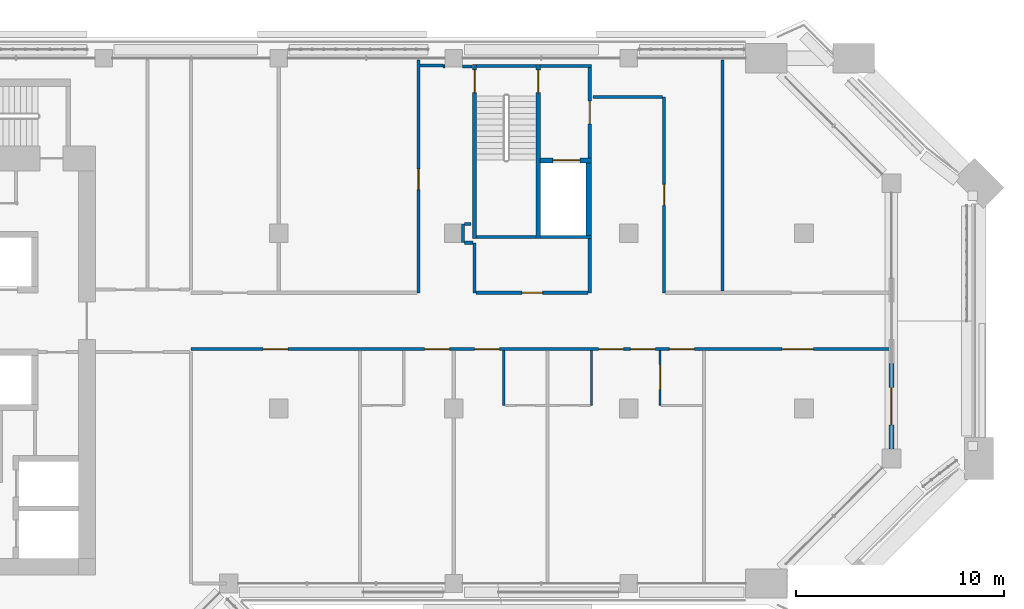
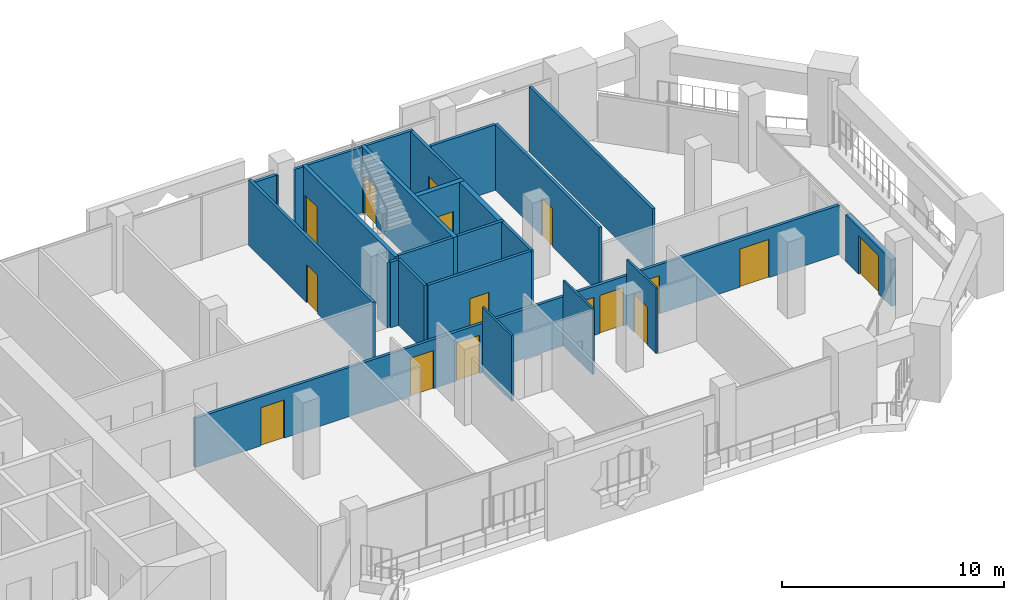
# One storey, part 13 of 21: 27 walls, 16 doors, 16 openings.
"""IFC4 building model written with IfcOpenShell, lengths in metres."""

from ifc_helpers import new_model, si_unit, direction, frame, frame_2d, origin, place, context, subcontext, project, spatial, rectangle, extrude, material, layer, layer_set, type_object, element, fill, save


model = new_model("IFC4")

# Units and contexts
model_context = context("Model", 3, precision=1e-05, world=origin(), true_north=direction((0.0, 1.0)))
body_context = subcontext(model_context, "Body", "Model", "MODEL_VIEW")
ifc_project = project(units=[si_unit("LENGTHUNIT", "METRE"), si_unit("AREAUNIT", "SQUARE_METRE"), si_unit("VOLUMEUNIT", "CUBIC_METRE"), si_unit("PLANEANGLEUNIT", "RADIAN"), si_unit("MASSUNIT", "GRAM", prefix="KILO")], contexts=[model_context])

# Site, building, storey
site_placement = place(None, origin())
site = spatial("IfcSite", under=ifc_project, at=site_placement, CompositionType="ELEMENT")
building_placement = place(site_placement, origin())
building = spatial("IfcBuilding", under=site, at=building_placement, Name="Kawkab Arch Medical Tower", CompositionType="ELEMENT")
storey_placement = place(building_placement, frame((0.0, 0.0, 234.800048828125)))
storey = spatial("IfcBuildingStorey", under=building, at=storey_placement, Name="L54", CompositionType="ELEMENT", Elevation=234.800048828125)

# Wall, opening, door
ifc_material_1 = material(Name="Gypsum board on steel studs", Category="steel")
ifc_layer_1 = layer(ifc_material_1, 0.14990234375)
ifc_layer_set_1 = layer_set([ifc_layer_1], Name="Gypsum board on steel studs")
wall_type_1 = type_object("IfcWallType", Name="Core room partition 150", PredefinedType="PARTITIONING", material=ifc_layer_set_1)
wall_1_placement = place(storey_placement, frame((48.52490234375, -4.77490234375, 0.0), z_axis=(0.0, 0.0, 1.0), x_axis=(0.0, 1.0, 0.0)))
wall_1 = element("IfcWall", 1, at=wall_1_placement, inside=storey, type_object=wall_type_1, Name="L54 core room partition", PredefinedType="PARTITIONING", context=body_context, shape_type="SweptSolid", body=[
    extrude(rectangle(XDim=4.324951171875, YDim=0.14990234375, at=frame_2d((2.16259765625, 0.0))), origin(), (0.0, 0.0, 1.0), 3.599853515625),
])
opening_1_placement = place(wall_1_placement, frame((1.625, 0.0, 0.0)))
opening_1 = element("IfcOpeningElement", 2, at=opening_1_placement, cuts=wall_1, Name="Opening FD", PredefinedType="OPENING", context=body_context, shape_type="SweptSolid", body=[
    extrude(rectangle(XDim=1.10009765625, YDim=2.10009765625, at=frame_2d((0.550048828125, 1.050048828125))), frame((0.0, 0.0849609375, 0.0), z_axis=(0.0, -1.0, 0.0), x_axis=(1.0, 0.0, 0.0)), (0.0, 0.0, 1.0), 0.169921875),
])
ifc_material_2 = material(Name="Hollow metal fire door leaf")
door_type_1 = type_object("IfcDoorType", Name="Firefighting lobby door 1100", OperationType="SINGLE_SWING_LEFT", PredefinedType="DOOR", material=ifc_material_2)
door_1_placement = place(opening_1_placement, origin())
door_1 = element("IfcDoor", 3, at=door_1_placement, inside=storey, type_object=door_type_1, Name="L54 Service lift lobby door SV1", OperationType="SINGLE_SWING_LEFT", OverallHeight=2.10009765625, OverallWidth=1.10009765625, PredefinedType="DOOR", context=body_context, shape_type="SweptSolid", body=[
    extrude(rectangle(XDim=1.10009765625, YDim=2.10009765625, at=frame_2d((0.550048828125, 1.050048828125))), frame((0.0, 0.02490234375, 0.0), z_axis=(0.0, -1.0, 0.0), x_axis=(1.0, 0.0, 0.0)), (0.0, 0.0, 1.0), 0.050048828125),
])
fill(opening_1, door_1)

ifc_material_3 = material(Name="Concrete C60/75", Category="concrete")
ifc_layer_2 = layer(ifc_material_3, 0.25)
ifc_layer_set_2 = layer_set([ifc_layer_2], Name="Concrete C60/75")
wall_type_2 = type_object("IfcWallType", Name="Core shear wall 250 C60/75", PredefinedType="SHEAR", material=ifc_layer_set_2)
wall_2_placement = place(storey_placement, frame((46.14990234375, -4.89990234375, 0.0), z_axis=(0.0, 0.0, 1.0), x_axis=(1.0, 0.0, 0.0)))
wall_2 = element("IfcWall", 4, at=wall_2_placement, inside=storey, type_object=wall_type_2, Name="L54 core shear wall", PredefinedType="SHEAR", context=body_context, shape_type="SweptSolid", body=[
    extrude(rectangle(XDim=2.4501953125, YDim=0.25, at=frame_2d((1.22509765625, 0.0))), origin(), (0.0, 0.0, 1.0), 3.599853515625),
])
opening_2_placement = place(wall_2_placement, frame((0.60009765625, 0.0, 0.0)))
opening_2 = element("IfcOpeningElement", 5, at=opening_2_placement, cuts=wall_2, Name="Opening LD2", PredefinedType="OPENING", context=body_context, shape_type="SweptSolid", body=[
    extrude(rectangle(XDim=1.300048828125, YDim=2.10009765625, at=frame_2d((0.64990234375, 1.050048828125))), frame((0.0, 0.135009765625, 0.0), z_axis=(0.0, -1.0, 0.0), x_axis=(1.0, 0.0, 0.0)), (0.0, 0.0, 1.0), 0.27001953125),
])
ifc_material_4 = material(Name="Stainless steel lift door leaf", Category="steel")
door_type_2 = type_object("IfcDoorType", Name="Lift landing door 1300", OperationType="DOUBLE_DOOR_SLIDING", PredefinedType="DOOR", material=ifc_material_4)
door_2_placement = place(opening_2_placement, origin())
door_2 = element("IfcDoor", 6, at=door_2_placement, inside=storey, type_object=door_type_2, Name="L54 Lift landing door SV1", OperationType="DOUBLE_DOOR_SLIDING", OverallHeight=2.10009765625, OverallWidth=1.300048828125, PredefinedType="DOOR", context=body_context, shape_type="SweptSolid", body=[
    extrude(rectangle(XDim=1.300048828125, YDim=2.10009765625, at=frame_2d((0.64990234375, 1.050048828125))), frame((0.0, 0.02490234375, 0.0), z_axis=(0.0, -1.0, 0.0), x_axis=(1.0, 0.0, 0.0)), (0.0, 0.0, 1.0), 0.050048828125),
])
fill(opening_2, door_2)

# Wall
wall_3_placement = place(storey_placement, frame((48.47509765625, -8.5, 0.0), z_axis=(0.0, 0.0, 1.0), x_axis=(0.0, 1.0, 0.0)))
element("IfcWall", 7, at=wall_3_placement, inside=storey, type_object=wall_type_2, Name="L54 core shear wall", PredefinedType="SHEAR", context=body_context, shape_type="SweptSolid", body=[
    extrude(rectangle(XDim=3.47509765625, YDim=0.25, at=frame_2d((1.737548828125, 0.0))), origin(), (0.0, 0.0, 1.0), 3.599853515625),
])

# Wall, opening, door
ifc_material_5 = material(Name="Bronze clad insulated wall panel")
ifc_layer_3 = layer(ifc_material_5, 0.25)
ifc_layer_set_3 = layer_set([ifc_layer_3], Name="Bronze clad insulated wall panel")
wall_type_3 = type_object("IfcWallType", Name="External wall bay 250", PredefinedType="SOLIDWALL", material=ifc_layer_set_3)
wall_4_placement = place(storey_placement, frame((63.0, -18.75, 0.0), z_axis=(0.0, 0.0, 1.0), x_axis=(0.0, 1.0, 0.0)))
wall_4 = element("IfcWall", 8, at=wall_4_placement, inside=storey, type_object=wall_type_3, Name="External wall bay L54.R09.1.1", PredefinedType="SOLIDWALL", context=body_context, shape_type="SweptSolid", body=[
    extrude(rectangle(XDim=4.10009765625, YDim=0.25, at=frame_2d((2.050048828125, 0.0))), origin(), (0.0, 0.0, 1.0), 2.579833984375),
])
opening_3_placement = place(wall_4_placement, frame((1.14990234375, 0.0, 0.0)))
opening_3 = element("IfcOpeningElement", 9, at=opening_3_placement, cuts=wall_4, Name="Opening W54-702", PredefinedType="OPENING", context=body_context, shape_type="SweptSolid", body=[
    extrude(rectangle(XDim=1.800048828125, YDim=2.10009765625, at=frame_2d((0.89990234375, 1.050048828125))), frame((0.0, 0.135009765625, 0.0), z_axis=(0.0, -1.0, 0.0), x_axis=(1.0, 0.0, 0.0)), (0.0, 0.0, 1.0), 0.27001953125),
])
ifc_material_6 = material(Name="Bronze anodised aluminium door with tinted glass", Category="aluminium")
door_type_3 = type_object("IfcDoorType", Name="Double external door 1800 x 2100", OperationType="DOUBLE_DOOR_SINGLE_SWING", PredefinedType="DOOR", material=ifc_material_6)
door_3_placement = place(opening_3_placement, origin())
door_3 = element("IfcDoor", 10, at=door_3_placement, inside=storey, type_object=door_type_3, Name="External door L54.R09.1.1", OperationType="DOUBLE_DOOR_SINGLE_SWING", OverallHeight=2.10009765625, OverallWidth=1.800048828125, PredefinedType="DOOR", context=body_context, shape_type="SweptSolid", body=[
    extrude(rectangle(XDim=1.800048828125, YDim=2.10009765625, at=frame_2d((0.89990234375, 1.050048828125))), frame((0.0, 0.02490234375, 0.0), z_axis=(0.0, -1.0, 0.0), x_axis=(1.0, 0.0, 0.0)), (0.0, 0.0, 1.0), 0.050048828125),
])
fill(opening_3, door_3)

# Walls
ifc_material_7 = material(Name="Gypsum board partition on steel studs", Category="steel")
ifc_layer_4 = layer(ifc_material_7, 0.10009765625)
ifc_layer_set_4 = layer_set([ifc_layer_4], Name="Gypsum board partition on steel studs")
wall_type_4 = type_object("IfcWallType", Name="Partition 100", PredefinedType="PARTITIONING", material=ifc_layer_set_4)
for number, where, z_axis, x_axis, name in (
    (11, (44.39990234375, -16.64990234375, 0.0), (0.0, 0.0, 1.0), (0.0, 1.0, 0.0), "Partition 100 w005"),
    (12, (48.60009765625, -16.64990234375, 0.0), (0.0, 0.0, 1.0), (0.0, 1.0, 0.0), "Partition 100 w006"),
):
    element("IfcWall", number, at=place(storey_placement, frame(where, z_axis=z_axis, x_axis=x_axis)), inside=storey, type_object=wall_type_4, Name=name, PredefinedType="PARTITIONING", context=body_context, shape_type="SweptSolid", body=[
        extrude(rectangle(XDim=2.625, YDim=0.10009765625, at=frame_2d((1.3125, 0.0))), origin(), (0.0, 0.0, 1.0), 3.599853515625),
    ])

# Wall, opening, door
wall_5_placement = place(storey_placement, frame((51.89990234375, -16.64990234375, 0.0), z_axis=(0.0, 0.0, 1.0), x_axis=(0.0, 1.0, 0.0)))
wall_5 = element("IfcWall", 13, at=wall_5_placement, inside=storey, type_object=wall_type_4, Name="Partition 100 w007", PredefinedType="PARTITIONING", context=body_context, shape_type="SweptSolid", body=[
    extrude(rectangle(XDim=2.625, YDim=0.10009765625, at=frame_2d((1.3125, 0.0))), origin(), (0.0, 0.0, 1.0), 3.599853515625),
])
opening_4_placement = place(wall_5_placement, frame((0.75, 0.0, 0.0)))
opening_4 = element("IfcOpeningElement", 14, at=opening_4_placement, cuts=wall_5, Name="Opening W54-026", PredefinedType="OPENING", context=body_context, shape_type="SweptSolid", body=[
    extrude(rectangle(XDim=1.199951171875, YDim=2.10009765625, at=frame_2d((0.60009765625, 1.050048828125))), frame((0.0, 0.06005859375, 0.0), z_axis=(0.0, -1.0, 0.0), x_axis=(1.0, 0.0, 0.0)), (0.0, 0.0, 1.0), 0.1201171875),
])
ifc_material_8 = material(Name="Timber door leaf", Category="wood")
door_type_4 = type_object("IfcDoorType", Name="Single door 1200x2100", OperationType="NOTDEFINED", PredefinedType="DOOR", material=ifc_material_8)
door_4_placement = place(opening_4_placement, origin())
door_4 = element("IfcDoor", 15, at=door_4_placement, inside=storey, type_object=door_type_4, Name="Door W54-026", OperationType="SINGLE_SWING_LEFT", OverallHeight=2.10009765625, OverallWidth=1.199951171875, PredefinedType="DOOR", context=body_context, shape_type="SweptSolid", body=[
    extrude(rectangle(XDim=1.199951171875, YDim=2.10009765625, at=frame_2d((0.60009765625, 1.050048828125))), frame((0.0, 0.02490234375, 0.0), z_axis=(0.0, -1.0, 0.0), x_axis=(1.0, 0.0, 0.0)), (0.0, 0.0, 1.0), 0.050048828125),
])
fill(opening_4, door_4)

# Wall, openings, doors
ifc_material_9 = material(Name="Gypsum board partition on steel studs, mineral wool", Category="steel")
ifc_layer_5 = layer(ifc_material_9, 0.14990234375)
ifc_layer_set_5 = layer_set([ifc_layer_5], Name="Gypsum board partition on steel studs, mineral wool")
wall_type_5 = type_object("IfcWallType", Name="Partition 150", PredefinedType="PARTITIONING", material=ifc_layer_set_5)
wall_6_placement = place(storey_placement, frame((29.39990234375, -13.949951171875, 0.0), z_axis=(0.0, 0.0, 1.0), x_axis=(1.0, 0.0, 0.0)))
wall_6 = element("IfcWall", 16, at=wall_6_placement, inside=storey, type_object=wall_type_5, Name="Partition 150 w021", PredefinedType="PARTITIONING", context=body_context, shape_type="SweptSolid", body=[
    extrude(rectangle(XDim=33.52001953125, YDim=0.14990234375, at=frame_2d((16.760009765625, 0.0))), origin(), (0.0, 0.0, 1.0), 2.699951171875),
])
opening_5_placement = place(wall_6_placement, frame((3.449951171875, 0.0, 0.0)))
opening_5 = element("IfcOpeningElement", 17, at=opening_5_placement, cuts=wall_6, Name="Opening W54-020", PredefinedType="OPENING", context=body_context, shape_type="SweptSolid", body=[
    extrude(rectangle(XDim=1.199951171875, YDim=2.10009765625, at=frame_2d((0.60009765625, 1.050048828125))), frame((0.0, 0.0849609375, 0.0), z_axis=(0.0, -1.0, 0.0), x_axis=(1.0, 0.0, 0.0)), (0.0, 0.0, 1.0), 0.169921875),
])
opening_6_placement = place(wall_6_placement, frame((11.199951171875, 0.0, 0.0)))
opening_6 = element("IfcOpeningElement", 18, at=opening_6_placement, cuts=wall_6, Name="Opening W54-021", PredefinedType="OPENING", context=body_context, shape_type="SweptSolid", body=[
    extrude(rectangle(XDim=1.199951171875, YDim=2.10009765625, at=frame_2d((0.60009765625, 1.050048828125))), frame((0.0, 0.0849609375, 0.0), z_axis=(0.0, -1.0, 0.0), x_axis=(1.0, 0.0, 0.0)), (0.0, 0.0, 1.0), 0.169921875),
])
opening_7_placement = place(wall_6_placement, frame((13.60009765625, 0.0, 0.0)))
opening_7 = element("IfcOpeningElement", 19, at=opening_7_placement, cuts=wall_6, Name="Opening W54-022", PredefinedType="OPENING", context=body_context, shape_type="SweptSolid", body=[
    extrude(rectangle(XDim=1.199951171875, YDim=2.10009765625, at=frame_2d((0.60009765625, 1.050048828125))), frame((0.0, 0.0849609375, 0.0), z_axis=(0.0, -1.0, 0.0), x_axis=(1.0, 0.0, 0.0)), (0.0, 0.0, 1.0), 0.169921875),
])
opening_8_placement = place(wall_6_placement, frame((21.074951171875, 0.0, 0.0)))
opening_8 = element("IfcOpeningElement", 20, at=opening_8_placement, cuts=wall_6, Name="Opening W54-023", PredefinedType="OPENING", context=body_context, shape_type="SweptSolid", body=[
    extrude(rectangle(XDim=1.199951171875, YDim=2.10009765625, at=frame_2d((0.60009765625, 1.050048828125))), frame((0.0, 0.0849609375, 0.0), z_axis=(0.0, -1.0, 0.0), x_axis=(1.0, 0.0, 0.0)), (0.0, 0.0, 1.0), 0.169921875),
])
opening_9_placement = place(wall_6_placement, frame((19.550048828125, 0.0, 0.0)))
opening_9 = element("IfcOpeningElement", 21, at=opening_9_placement, cuts=wall_6, Name="Opening W54-024", PredefinedType="OPENING", context=body_context, shape_type="SweptSolid", body=[
    extrude(rectangle(XDim=1.199951171875, YDim=2.10009765625, at=frame_2d((0.60009765625, 1.050048828125))), frame((0.0, 0.0849609375, 0.0), z_axis=(0.0, -1.0, 0.0), x_axis=(1.0, 0.0, 0.0)), (0.0, 0.0, 1.0), 0.169921875),
])
opening_10_placement = place(wall_6_placement, frame((22.949951171875, 0.0, 0.0)))
opening_10 = element("IfcOpeningElement", 22, at=opening_10_placement, cuts=wall_6, Name="Opening W54-025", PredefinedType="OPENING", context=body_context, shape_type="SweptSolid", body=[
    extrude(rectangle(XDim=1.199951171875, YDim=2.10009765625, at=frame_2d((0.60009765625, 1.050048828125))), frame((0.0, 0.0849609375, 0.0), z_axis=(0.0, -1.0, 0.0), x_axis=(1.0, 0.0, 0.0)), (0.0, 0.0, 1.0), 0.169921875),
])
opening_11_placement = place(wall_6_placement, frame((28.35009765625, 0.0, 0.0)))
opening_11 = element("IfcOpeningElement", 23, at=opening_11_placement, cuts=wall_6, Name="Opening W54-003", PredefinedType="OPENING", context=body_context, shape_type="SweptSolid", body=[
    extrude(rectangle(XDim=1.5, YDim=2.10009765625, at=frame_2d((0.75, 1.050048828125))), frame((0.0, 0.0849609375, 0.0), z_axis=(0.0, -1.0, 0.0), x_axis=(1.0, 0.0, 0.0)), (0.0, 0.0, 1.0), 0.169921875),
])
ifc_material_10 = material(Name="Hollow metal door leaf")
door_type_5 = type_object("IfcDoorType", Name="Double door 1500x2100 FD30S", OperationType="NOTDEFINED", PredefinedType="DOOR", material=ifc_material_10)
door_5_placement = place(opening_11_placement, origin())
door_5 = element("IfcDoor", 24, at=door_5_placement, inside=storey, type_object=door_type_5, Name="Door W54-003", OperationType="DOUBLE_DOOR_SINGLE_SWING", OverallHeight=2.10009765625, OverallWidth=1.5, PredefinedType="DOOR", context=body_context, shape_type="SweptSolid", body=[
    extrude(rectangle(XDim=1.5, YDim=2.10009765625, at=frame_2d((0.75, 1.050048828125))), frame((0.0, 0.02490234375, 0.0), z_axis=(0.0, -1.0, 0.0), x_axis=(1.0, 0.0, 0.0)), (0.0, 0.0, 1.0), 0.050048828125),
])
fill(opening_11, door_5)
ifc_material_11 = material(Name="Hollow metal door leaf")
door_type_6 = type_object("IfcDoorType", Name="Single door 1200x2100 FD30S", OperationType="NOTDEFINED", PredefinedType="DOOR", material=ifc_material_11)
door_6_placement = place(opening_5_placement, origin())
door_6 = element("IfcDoor", 25, at=door_6_placement, inside=storey, type_object=door_type_6, Name="Door W54-020", OperationType="SINGLE_SWING_RIGHT", OverallHeight=2.10009765625, OverallWidth=1.199951171875, PredefinedType="DOOR", context=body_context, shape_type="SweptSolid", body=[
    extrude(rectangle(XDim=1.199951171875, YDim=2.10009765625, at=frame_2d((0.60009765625, 1.050048828125))), frame((0.0, 0.02490234375, 0.0), z_axis=(0.0, -1.0, 0.0), x_axis=(1.0, 0.0, 0.0)), (0.0, 0.0, 1.0), 0.050048828125),
])
fill(opening_5, door_6)
door_7_placement = place(opening_6_placement, origin())
door_7 = element("IfcDoor", 26, at=door_7_placement, inside=storey, type_object=door_type_6, Name="Door W54-021", OperationType="SINGLE_SWING_RIGHT", OverallHeight=2.10009765625, OverallWidth=1.199951171875, PredefinedType="DOOR", context=body_context, shape_type="SweptSolid", body=[
    extrude(rectangle(XDim=1.199951171875, YDim=2.10009765625, at=frame_2d((0.60009765625, 1.050048828125))), frame((0.0, 0.02490234375, 0.0), z_axis=(0.0, -1.0, 0.0), x_axis=(1.0, 0.0, 0.0)), (0.0, 0.0, 1.0), 0.050048828125),
])
fill(opening_6, door_7)
door_8_placement = place(opening_7_placement, origin())
door_8 = element("IfcDoor", 27, at=door_8_placement, inside=storey, type_object=door_type_6, Name="Door W54-022", OperationType="SINGLE_SWING_RIGHT", OverallHeight=2.10009765625, OverallWidth=1.199951171875, PredefinedType="DOOR", context=body_context, shape_type="SweptSolid", body=[
    extrude(rectangle(XDim=1.199951171875, YDim=2.10009765625, at=frame_2d((0.60009765625, 1.050048828125))), frame((0.0, 0.02490234375, 0.0), z_axis=(0.0, -1.0, 0.0), x_axis=(1.0, 0.0, 0.0)), (0.0, 0.0, 1.0), 0.050048828125),
])
fill(opening_7, door_8)
door_9_placement = place(opening_8_placement, origin())
door_9 = element("IfcDoor", 28, at=door_9_placement, inside=storey, type_object=door_type_6, Name="Door W54-023", OperationType="SINGLE_SWING_LEFT", OverallHeight=2.10009765625, OverallWidth=1.199951171875, PredefinedType="DOOR", context=body_context, shape_type="SweptSolid", body=[
    extrude(rectangle(XDim=1.199951171875, YDim=2.10009765625, at=frame_2d((0.60009765625, 1.050048828125))), frame((0.0, 0.02490234375, 0.0), z_axis=(0.0, -1.0, 0.0), x_axis=(1.0, 0.0, 0.0)), (0.0, 0.0, 1.0), 0.050048828125),
])
fill(opening_8, door_9)
door_10_placement = place(opening_9_placement, origin())
door_10 = element("IfcDoor", 29, at=door_10_placement, inside=storey, type_object=door_type_6, Name="Door W54-024", OperationType="SINGLE_SWING_LEFT", OverallHeight=2.10009765625, OverallWidth=1.199951171875, PredefinedType="DOOR", context=body_context, shape_type="SweptSolid", body=[
    extrude(rectangle(XDim=1.199951171875, YDim=2.10009765625, at=frame_2d((0.60009765625, 1.050048828125))), frame((0.0, 0.02490234375, 0.0), z_axis=(0.0, -1.0, 0.0), x_axis=(1.0, 0.0, 0.0)), (0.0, 0.0, 1.0), 0.050048828125),
])
fill(opening_9, door_10)
door_11_placement = place(opening_10_placement, origin())
door_11 = element("IfcDoor", 30, at=door_11_placement, inside=storey, type_object=door_type_6, Name="Door W54-025", OperationType="SINGLE_SWING_LEFT", OverallHeight=2.10009765625, OverallWidth=1.199951171875, PredefinedType="DOOR", context=body_context, shape_type="SweptSolid", body=[
    extrude(rectangle(XDim=1.199951171875, YDim=2.10009765625, at=frame_2d((0.60009765625, 1.050048828125))), frame((0.0, 0.02490234375, 0.0), z_axis=(0.0, -1.0, 0.0), x_axis=(1.0, 0.0, 0.0)), (0.0, 0.0, 1.0), 0.050048828125),
])
fill(opening_10, door_11)

# Wall, opening, door
wall_7_placement = place(storey_placement, frame((43.074951171875, -11.25, 0.0), z_axis=(0.0, 0.0, 1.0), x_axis=(1.0, 0.0, 0.0)))
wall_7 = element("IfcWall", 31, at=wall_7_placement, inside=storey, type_object=wall_type_5, Name="Partition 150 w023", PredefinedType="PARTITIONING", context=body_context, shape_type="SweptSolid", body=[
    extrude(rectangle(XDim=5.375, YDim=0.14990234375, at=frame_2d((2.6875, 0.0))), origin(), (0.0, 0.0, 1.0), 3.599853515625),
])
opening_12_placement = place(wall_7_placement, frame((2.18798828125, 0.0, 0.0)))
opening_12 = element("IfcOpeningElement", 32, at=opening_12_placement, cuts=wall_7, Name="Opening W54-010", PredefinedType="OPENING", context=body_context, shape_type="SweptSolid", body=[
    extrude(rectangle(XDim=1.0, YDim=2.10009765625, at=frame_2d((0.5, 1.050048828125))), frame((0.0, 0.0849609375, 0.0), z_axis=(0.0, -1.0, 0.0), x_axis=(1.0, 0.0, 0.0)), (0.0, 0.0, 1.0), 0.169921875),
])
ifc_material_12 = material(Name="Hollow metal door leaf")
door_type_7 = type_object("IfcDoorType", Name="Single door 1000x2100 FD30S", OperationType="NOTDEFINED", PredefinedType="DOOR", material=ifc_material_12)
door_12_placement = place(opening_12_placement, origin())
door_12 = element("IfcDoor", 33, at=door_12_placement, inside=storey, type_object=door_type_7, Name="Door W54-010", OperationType="SINGLE_SWING_RIGHT", OverallHeight=2.10009765625, OverallWidth=1.0, PredefinedType="DOOR", context=body_context, shape_type="SweptSolid", body=[
    extrude(rectangle(XDim=1.0, YDim=2.10009765625, at=frame_2d((0.5, 1.050048828125))), frame((0.0, 0.02490234375, 0.0), z_axis=(0.0, -1.0, 0.0), x_axis=(1.0, 0.0, 0.0)), (0.0, 0.0, 1.0), 0.050048828125),
])
fill(opening_12, door_12)

# Walls
wall_8_placement = place(storey_placement, frame((42.52490234375, -8.85009765625, 0.0), z_axis=(0.0, 0.0, 1.0), x_axis=(1.0, 0.0, 0.0)))
element("IfcWall", 34, at=wall_8_placement, inside=storey, type_object=wall_type_5, Name="Partition 150 w026", PredefinedType="PARTITIONING", context=body_context, shape_type="SweptSolid", body=[
    extrude(rectangle(XDim=0.398193359375, YDim=0.14990234375, at=frame_2d((0.19921875, 0.0))), origin(), (0.0, 0.0, 1.0), 3.599853515625),
])
wall_9_placement = place(storey_placement, frame((42.52587890625, -7.949951171875, 0.0), z_axis=(0.0, 0.0, 1.0), x_axis=(1.0, 0.0, 0.0)))
element("IfcWall", 35, at=wall_9_placement, inside=storey, type_object=wall_type_5, Name="Partition 150 w027", PredefinedType="PARTITIONING", context=body_context, shape_type="SweptSolid", body=[
    extrude(rectangle(XDim=0.294189453125, YDim=0.14990234375, at=frame_2d((0.14697265625, 0.0))), origin(), (0.0, 0.0, 1.0), 3.599853515625),
])
wall_10_placement = place(storey_placement, frame((48.679931640625, -1.85009765625, 0.0), z_axis=(0.0, 0.0, 1.0), x_axis=(1.0, 0.0, 0.0)))
element("IfcWall", 36, at=wall_10_placement, inside=storey, type_object=wall_type_5, Name="Partition 150 w028", PredefinedType="PARTITIONING", context=body_context, shape_type="SweptSolid", body=[
    extrude(rectangle(XDim=3.337158203125, YDim=0.14990234375, at=frame_2d((1.66845703125, 0.0))), origin(), (0.0, 0.0, 1.0), 3.599853515625),
])
wall_11_placement = place(storey_placement, frame((41.488037109375, -0.386962890625, 0.0), z_axis=(0.0, 0.0, 1.0), x_axis=(1.0, 0.0, 0.0)))
element("IfcWall", 37, at=wall_11_placement, inside=storey, type_object=wall_type_5, Name="Partition 150 w029", PredefinedType="PARTITIONING", context=body_context, shape_type="SweptSolid", body=[
    extrude(rectangle(XDim=0.0869140625, YDim=0.14990234375, at=frame_2d((0.04345703125, 0.0))), origin(), (0.0, 0.0, 1.0), 3.599853515625),
])
wall_12_placement = place(storey_placement, frame((42.425048828125, -0.386962890625, 0.0), z_axis=(0.0, 0.0, 1.0), x_axis=(1.0, 0.0, 0.0)))
element("IfcWall", 38, at=wall_12_placement, inside=storey, type_object=wall_type_5, Name="Partition 150 w030", PredefinedType="PARTITIONING", context=body_context, shape_type="SweptSolid", body=[
    extrude(rectangle(XDim=0.445068359375, YDim=0.14990234375, at=frame_2d((0.22265625, 0.0))), origin(), (0.0, 0.0, 1.0), 3.599853515625),
])
wall_13_placement = place(storey_placement, frame((40.382080078125, -0.35009765625, 0.0), z_axis=(0.0, 0.0, 1.0), x_axis=(1.0, 0.0, 0.0)))
element("IfcWall", 39, at=wall_13_placement, inside=storey, type_object=wall_type_5, Name="Partition 150 w031", PredefinedType="PARTITIONING", context=body_context, shape_type="SweptSolid", body=[
    extrude(rectangle(XDim=1.10595703125, YDim=0.14990234375, at=frame_2d((0.552978515625, 0.0))), origin(), (0.0, 0.0, 1.0), 3.599853515625),
])

# Wall, opening, door
wall_14_placement = place(storey_placement, frame((40.306884765625, -11.25, 0.0), z_axis=(0.0, 0.0, 1.0), x_axis=(0.0, 1.0, 0.0)))
wall_14 = element("IfcWall", 40, at=wall_14_placement, inside=storey, type_object=wall_type_5, Name="Partition 150 w048", PredefinedType="PARTITIONING", context=body_context, shape_type="SweptSolid", body=[
    extrude(rectangle(XDim=11.169921875, YDim=0.14990234375, at=frame_2d((5.5849609375, 0.0))), origin(), (0.0, 0.0, 1.0), 3.599853515625),
])
opening_13_placement = place(wall_14_placement, frame((4.949951171875, 0.0, 0.0)))
opening_13 = element("IfcOpeningElement", 41, at=opening_13_placement, cuts=wall_14, Name="Opening W54-009", PredefinedType="OPENING", context=body_context, shape_type="SweptSolid", body=[
    extrude(rectangle(XDim=1.0, YDim=2.10009765625, at=frame_2d((0.5, 1.050048828125))), frame((0.0, 0.0849609375, 0.0), z_axis=(0.0, -1.0, 0.0), x_axis=(1.0, 0.0, 0.0)), (0.0, 0.0, 1.0), 0.169921875),
])
door_13_placement = place(opening_13_placement, origin())
door_13 = element("IfcDoor", 42, at=door_13_placement, inside=storey, type_object=door_type_7, Name="Door W54-009", OperationType="SINGLE_SWING_LEFT", OverallHeight=2.10009765625, OverallWidth=1.0, PredefinedType="DOOR", context=body_context, shape_type="SweptSolid", body=[
    extrude(rectangle(XDim=1.0, YDim=2.10009765625, at=frame_2d((0.5, 1.050048828125))), frame((0.0, 0.02490234375, 0.0), z_axis=(0.0, -1.0, 0.0), x_axis=(1.0, 0.0, 0.0)), (0.0, 0.0, 1.0), 0.050048828125),
])
fill(opening_13, door_13)

# Walls
wall_15_placement = place(storey_placement, frame((42.449951171875, -8.85009765625, 0.0), z_axis=(0.0, 0.0, 1.0), x_axis=(0.0, 1.0, 0.0)))
element("IfcWall", 43, at=wall_15_placement, inside=storey, type_object=wall_type_5, Name="Partition 150 w050", PredefinedType="PARTITIONING", context=body_context, shape_type="SweptSolid", body=[
    extrude(rectangle(XDim=0.899169921875, YDim=0.14990234375, at=frame_2d((0.44970703125, 0.0))), origin(), (0.0, 0.0, 1.0), 3.599853515625),
])
wall_16_placement = place(storey_placement, frame((43.0, -11.25, 0.0), z_axis=(0.0, 0.0, 1.0), x_axis=(0.0, 1.0, 0.0)))
element("IfcWall", 44, at=wall_16_placement, inside=storey, type_object=wall_type_5, Name="Partition 150 w051", PredefinedType="PARTITIONING", context=body_context, shape_type="SweptSolid", body=[
    extrude(rectangle(XDim=2.39794921875, YDim=0.14990234375, at=frame_2d((1.198974609375, 0.0))), origin(), (0.0, 0.0, 1.0), 3.599853515625),
])
wall_17_placement = place(storey_placement, frame((48.52490234375, -11.25, 0.0), z_axis=(0.0, 0.0, 1.0), x_axis=(0.0, 1.0, 0.0)))
element("IfcWall", 45, at=wall_17_placement, inside=storey, type_object=wall_type_5, Name="Partition 150 w053", PredefinedType="PARTITIONING", context=body_context, shape_type="SweptSolid", body=[
    extrude(rectangle(XDim=2.60009765625, YDim=0.14990234375, at=frame_2d((1.300048828125, 0.0))), origin(), (0.0, 0.0, 1.0), 3.599853515625),
])

# Wall, opening, door
wall_18_placement = place(storey_placement, frame((52.093017578125, -11.25, 0.0), z_axis=(0.0, 0.0, 1.0), x_axis=(0.0, 1.0, 0.0)))
wall_18 = element("IfcWall", 46, at=wall_18_placement, inside=storey, type_object=wall_type_5, Name="Partition 150 w054", PredefinedType="PARTITIONING", context=body_context, shape_type="SweptSolid", body=[
    extrude(rectangle(XDim=9.39794921875, YDim=0.14990234375, at=frame_2d((4.698974609375, 0.0))), origin(), (0.0, 0.0, 1.0), 3.599853515625),
])
opening_14_placement = place(wall_18_placement, frame((4.198974609375, 0.0, 0.0)))
opening_14 = element("IfcOpeningElement", 47, at=opening_14_placement, cuts=wall_18, Name="Opening W54-011", PredefinedType="OPENING", context=body_context, shape_type="SweptSolid", body=[
    extrude(rectangle(XDim=1.0, YDim=2.10009765625, at=frame_2d((0.5, 1.050048828125))), frame((0.0, 0.0849609375, 0.0), z_axis=(0.0, -1.0, 0.0), x_axis=(1.0, 0.0, 0.0)), (0.0, 0.0, 1.0), 0.169921875),
])
door_14_placement = place(opening_14_placement, origin())
door_14 = element("IfcDoor", 48, at=door_14_placement, inside=storey, type_object=door_type_7, Name="Door W54-011", OperationType="SINGLE_SWING_RIGHT", OverallHeight=2.10009765625, OverallWidth=1.0, PredefinedType="DOOR", context=body_context, shape_type="SweptSolid", body=[
    extrude(rectangle(XDim=1.0, YDim=2.10009765625, at=frame_2d((0.5, 1.050048828125))), frame((0.0, 0.02490234375, 0.0), z_axis=(0.0, -1.0, 0.0), x_axis=(1.0, 0.0, 0.0)), (0.0, 0.0, 1.0), 0.050048828125),
])
fill(opening_14, door_14)

# Walls
wall_19_placement = place(storey_placement, frame((54.89990234375, -11.175048828125, 0.0), z_axis=(0.0, 0.0, 1.0), x_axis=(0.0, 1.0, 0.0)))
element("IfcWall", 49, at=wall_19_placement, inside=storey, type_object=wall_type_5, Name="Partition 150 w056", PredefinedType="PARTITIONING", context=body_context, shape_type="SweptSolid", body=[
    extrude(rectangle(XDim=11.094970703125, YDim=0.14990234375, at=frame_2d((5.54736328125, 0.0))), origin(), (0.0, 0.0, 1.0), 3.599853515625),
])
ifc_material_13 = material(Name="Concrete C50/60", Category="concrete")
ifc_layer_6 = layer(ifc_material_13, 0.14990234375)
ifc_layer_set_6 = layer_set([ifc_layer_6], Name="Concrete C50/60")
wall_type_6 = type_object("IfcWallType", Name="Stair enclosure wall 150 C50/60", PredefinedType="SHEAR", material=ifc_layer_set_6)
wall_20_placement = place(storey_placement, frame((43.10009765625, -0.375, 0.0), z_axis=(0.0, 0.0, 1.0), x_axis=(1.0, 0.0, 0.0)))
element("IfcWall", 50, at=wall_20_placement, inside=storey, type_object=wall_type_6, Name="L54 stair enclosure wall", PredefinedType="SHEAR", context=body_context, shape_type="SweptSolid", body=[
    extrude(rectangle(XDim=2.849853515625, YDim=0.14990234375, at=frame_2d((1.4248046875, 0.0))), origin(), (0.0, 0.0, 1.0), 3.599853515625),
])
wall_21_placement = place(storey_placement, frame((46.14990234375, -0.375, 0.0), z_axis=(0.0, 0.0, 1.0), x_axis=(1.0, 0.0, 0.0)))
element("IfcWall", 51, at=wall_21_placement, inside=storey, type_object=wall_type_6, Name="L54 stair enclosure wall", PredefinedType="SHEAR", context=body_context, shape_type="SweptSolid", body=[
    extrude(rectangle(XDim=2.4501953125, YDim=0.14990234375, at=frame_2d((1.22509765625, 0.0))), origin(), (0.0, 0.0, 1.0), 3.599853515625),
])
wall_22_placement = place(storey_placement, frame((43.10009765625, -8.574951171875, 0.0), z_axis=(0.0, 0.0, 1.0), x_axis=(1.0, 0.0, 0.0)))
element("IfcWall", 52, at=wall_22_placement, inside=storey, type_object=wall_type_6, Name="L54 stair enclosure wall", PredefinedType="SHEAR", context=body_context, shape_type="SweptSolid", body=[
    extrude(rectangle(XDim=2.849853515625, YDim=0.14990234375, at=frame_2d((1.4248046875, 0.0))), origin(), (0.0, 0.0, 1.0), 3.599853515625),
])
wall_23_placement = place(storey_placement, frame((46.14990234375, -8.574951171875, 0.0), z_axis=(0.0, 0.0, 1.0), x_axis=(1.0, 0.0, 0.0)))
element("IfcWall", 53, at=wall_23_placement, inside=storey, type_object=wall_type_6, Name="L54 stair enclosure wall", PredefinedType="SHEAR", context=body_context, shape_type="SweptSolid", body=[
    extrude(rectangle(XDim=2.4501953125, YDim=0.14990234375, at=frame_2d((1.22509765625, 0.0))), origin(), (0.0, 0.0, 1.0), 3.599853515625),
])

# Wall, opening, door
ifc_material_14 = material(Name="Concrete C50/60", Category="concrete")
ifc_layer_7 = layer(ifc_material_14, 0.199951171875)
ifc_layer_set_7 = layer_set([ifc_layer_7], Name="Concrete C50/60")
wall_type_7 = type_object("IfcWallType", Name="Stair enclosure wall 200 C50/60", PredefinedType="SHEAR", material=ifc_layer_set_7)
wall_24_placement = place(storey_placement, frame((43.0, -8.64990234375, 0.0), z_axis=(0.0, 0.0, 1.0), x_axis=(0.0, 1.0, 0.0)))
wall_24 = element("IfcWall", 54, at=wall_24_placement, inside=storey, type_object=wall_type_7, Name="L54 stair enclosure wall", PredefinedType="SHEAR", context=body_context, shape_type="SweptSolid", body=[
    extrude(rectangle(XDim=8.349853515625, YDim=0.199951171875, at=frame_2d((4.1748046875, 0.0))), origin(), (0.0, 0.0, 1.0), 3.599853515625),
])
opening_15_placement = place(wall_24_placement, frame((7.0, 0.0, 0.0)))
opening_15 = element("IfcOpeningElement", 55, at=opening_15_placement, cuts=wall_24, Name="Opening SD", PredefinedType="OPENING", context=body_context, shape_type="SweptSolid", body=[
    extrude(rectangle(XDim=1.10009765625, YDim=2.10009765625, at=frame_2d((0.550048828125, 1.050048828125))), frame((0.0, 0.10986328125, 0.0), z_axis=(0.0, -1.0, 0.0), x_axis=(1.0, 0.0, 0.0)), (0.0, 0.0, 1.0), 0.219970703125),
])
ifc_material_15 = material(Name="Hollow metal fire door leaf")
door_type_8 = type_object("IfcDoorType", Name="Exit stair door 1100", OperationType="SINGLE_SWING_LEFT", PredefinedType="DOOR", material=ifc_material_15)
door_15_placement = place(opening_15_placement, frame((1.10009765625, 0.0, 0.0), z_axis=(0.0, 0.0, 1.0), x_axis=(-1.0, 0.0, 0.0)))
door_15 = element("IfcDoor", 56, at=door_15_placement, inside=storey, type_object=door_type_8, Name="L54 Exit stair ST5 door", OperationType="SINGLE_SWING_LEFT", OverallHeight=2.10009765625, OverallWidth=1.10009765625, PredefinedType="DOOR", context=body_context, shape_type="SweptSolid", body=[
    extrude(rectangle(XDim=1.10009765625, YDim=2.10009765625, at=frame_2d((0.550048828125, 1.050048828125))), frame((0.0, 0.02490234375, 0.0), z_axis=(0.0, -1.0, 0.0), x_axis=(1.0, 0.0, 0.0)), (0.0, 0.0, 1.0), 0.050048828125),
])
fill(opening_15, door_15)

wall_25_placement = place(storey_placement, frame((46.050048828125, -8.64990234375, 0.0), z_axis=(0.0, 0.0, 1.0), x_axis=(0.0, 1.0, 0.0)))
wall_25 = element("IfcWall", 57, at=wall_25_placement, inside=storey, type_object=wall_type_7, Name="L54 stair enclosure wall", PredefinedType="SHEAR", context=body_context, shape_type="SweptSolid", body=[
    extrude(rectangle(XDim=8.349853515625, YDim=0.199951171875, at=frame_2d((4.1748046875, 0.0))), origin(), (0.0, 0.0, 1.0), 3.599853515625),
])
opening_16_placement = place(wall_25_placement, frame((7.0, 0.0, 0.0)))
opening_16 = element("IfcOpeningElement", 58, at=opening_16_placement, cuts=wall_25, Name="Opening SD", PredefinedType="OPENING", context=body_context, shape_type="SweptSolid", body=[
    extrude(rectangle(XDim=1.10009765625, YDim=2.10009765625, at=frame_2d((0.550048828125, 1.050048828125))), frame((0.0, 0.10986328125, 0.0), z_axis=(0.0, -1.0, 0.0), x_axis=(1.0, 0.0, 0.0)), (0.0, 0.0, 1.0), 0.219970703125),
])
door_16_placement = place(opening_16_placement, origin())
door_16 = element("IfcDoor", 59, at=door_16_placement, inside=storey, type_object=door_type_8, Name="L54 Exit stair ST5 lobby door", OperationType="SINGLE_SWING_LEFT", OverallHeight=2.10009765625, OverallWidth=1.10009765625, PredefinedType="DOOR", context=body_context, shape_type="SweptSolid", body=[
    extrude(rectangle(XDim=1.10009765625, YDim=2.10009765625, at=frame_2d((0.550048828125, 1.050048828125))), frame((0.0, 0.02490234375, 0.0), z_axis=(0.0, -1.0, 0.0), x_axis=(1.0, 0.0, 0.0)), (0.0, 0.0, 1.0), 0.050048828125),
])
fill(opening_16, door_16)

save(model, "model.ifc")
